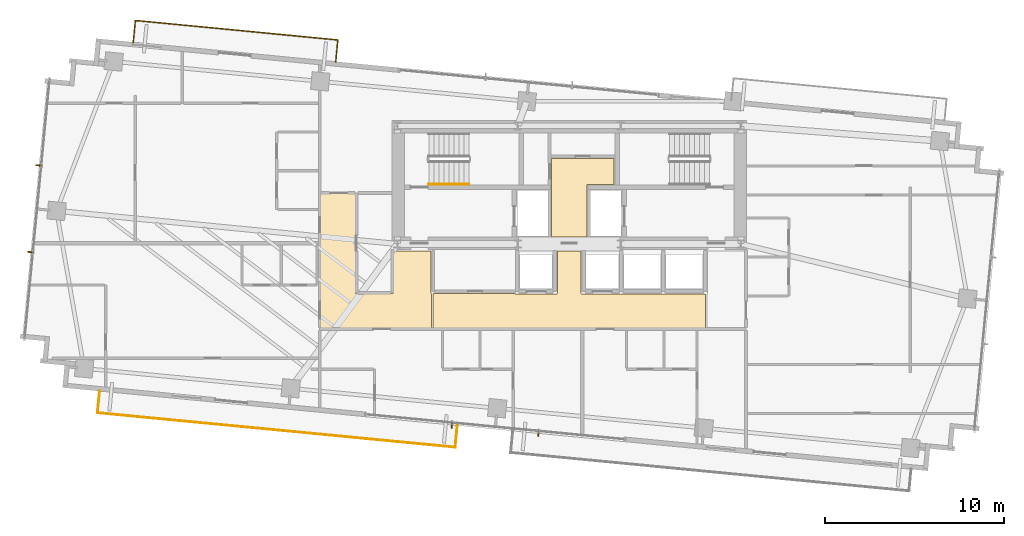
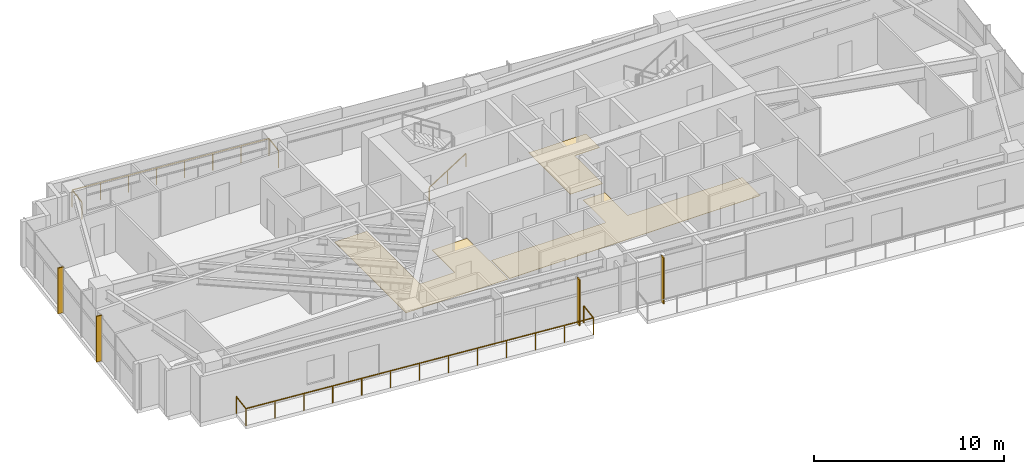
# One storey, part 19 of 20: 4 shading devices, 3 coverings, 3 railings.
"""IFC4 building model written with IfcOpenShell, lengths in metres."""

from ifc_helpers import new_model, si_unit, direction, frame, origin, origin_2d, place, context, subcontext, project, spatial, polyline, rectangle, outline, extrude, source, transform, mapped, material, layer, layer_set, type_object, type_shapes, element, save


model = new_model("IFC4")

# Units and contexts
model_context = context("Model", 3, precision=1e-05, world=origin(), true_north=direction((0.0, 1.0)))
body_context = subcontext(model_context, "Body", "Model", "MODEL_VIEW")
ifc_project = project(units=[si_unit("LENGTHUNIT", "METRE"), si_unit("AREAUNIT", "SQUARE_METRE"), si_unit("VOLUMEUNIT", "CUBIC_METRE"), si_unit("PLANEANGLEUNIT", "RADIAN"), si_unit("MASSUNIT", "GRAM", prefix="KILO")], contexts=[model_context])

# Site, building, storey
site_placement = place(None, origin())
site = spatial("IfcSite", under=ifc_project, at=site_placement, CompositionType="ELEMENT")
building_placement = place(site_placement, origin())
building = spatial("IfcBuilding", under=site, at=building_placement, Name="Astriad Promenade Condominiums", CompositionType="ELEMENT")
storey_placement = place(building_placement, frame((0.0, 0.0, 131.0)))
storey = spatial("IfcBuildingStorey", under=building, at=storey_placement, Name="L37", CompositionType="ELEMENT", Elevation=131.0)

# Coverings
ifc_material_1 = material(Name="Polished Lakefront Terrazzo Flooring")
ifc_layer = layer(ifc_material_1, 0.02001953125)
ifc_layer_set = layer_set([ifc_layer], Name="Polished Lakefront Terrazzo Flooring")
covering_type = type_object("IfcCoveringType", Name="COV-FLOR-TERRAZZO-20", PredefinedType="FLOORING", material=ifc_layer_set)
covering_1_placement = place(storey_placement, origin())
element("IfcCovering", 1, at=covering_1_placement, inside=storey, type_object=covering_type, Name="FLR-L37-CSL", PredefinedType="FLOORING", context=body_context, shape_type="SweptSolid", body=[
    extrude(outline(polyline([(36.97998046875, 20.699951171875), (36.97998046875, 17.7900390625), (35.02001953125, 17.7900390625), (35.02001953125, 22.179931640625), (38.5, 22.179931640625), (38.5, 20.739990234375), (37.02001953125, 20.739990234375), (37.01611328125, 20.73974609375), (37.01220703125, 20.7392578125), (37.00830078125, 20.73828125), (37.004638671875, 20.737060546875), (37.001220703125, 20.7353515625), (36.997802734375, 20.7333984375), (36.99462890625, 20.73095703125), (36.99169921875, 20.728271484375), (36.989013671875, 20.725341796875), (36.98681640625, 20.72216796875), (36.984619140625, 20.718994140625), (36.98291015625, 20.71533203125), (36.981689453125, 20.711669921875), (36.980712890625, 20.707763671875), (36.980224609375, 20.703857421875), (36.97998046875, 20.699951171875)])), origin(), (0.0, 0.0, 1.0), 0.02001953125),
])
covering_2_placement = place(storey_placement, origin())
element("IfcCovering", 2, at=covering_2_placement, inside=storey, type_object=covering_type, Name="FLR-L37-LLB", PredefinedType="FLOORING", context=body_context, shape_type="SweptSolid", body=[
    extrude(outline(polyline([(32.9736328125, 14.6201171875), (32.974609375, 14.619140625), (32.977783203125, 14.61669921875), (32.981201171875, 14.61474609375), (32.984619140625, 14.613037109375), (32.98828125, 14.61181640625), (32.9921875, 14.61083984375), (32.99609375, 14.610107421875), (33.0, 14.610107421875), (35.300048828125, 14.610107421875), (35.303955078125, 14.610107421875), (35.307861328125, 14.61083984375), (35.3115234375, 14.61181640625), (35.315185546875, 14.613037109375), (35.31884765625, 14.61474609375), (35.322265625, 14.61669921875), (35.325439453125, 14.619140625), (35.328369140625, 14.62158203125), (35.330810546875, 14.62451171875), (35.333251953125, 14.627685546875), (35.335205078125, 14.631103515625), (35.3369140625, 14.634765625), (35.33837890625, 14.638427734375), (35.339111328125, 14.64208984375), (35.33984375, 14.64599609375), (35.340087890625, 14.64990234375), (35.340087890625, 17.010009765625), (36.659912109375, 17.010009765625), (36.659912109375, 14.64990234375), (36.66015625, 14.64599609375), (36.660888671875, 14.64208984375), (36.66162109375, 14.638427734375), (36.6630859375, 14.634765625), (36.664794921875, 14.631103515625), (36.666748046875, 14.627685546875), (36.669189453125, 14.62451171875), (36.671630859375, 14.62158203125), (36.674560546875, 14.619140625), (36.677734375, 14.61669921875), (36.68115234375, 14.61474609375), (36.684814453125, 14.613037109375), (36.6884765625, 14.61181640625), (36.692138671875, 14.61083984375), (36.696044921875, 14.610107421875), (36.699951171875, 14.610107421875), (43.610107421875, 14.610107421875), (43.610107421875, 12.68994140625), (28.389892578125, 12.68994140625), (28.389892578125, 14.6201171875), (32.9736328125, 14.6201171875)])), origin(), (0.0, 0.0, 1.0), 0.02001953125),
])
covering_3_placement = place(storey_placement, origin())
element("IfcCovering", 3, at=covering_3_placement, inside=storey, type_object=covering_type, Name="FLR-L37-COR-2", PredefinedType="FLOORING", context=body_context, shape_type="SweptSolid", body=[
    extrude(outline(polyline([(28.300048828125, 12.68994140625), (22.090087890625, 12.68994140625), (22.090087890625, 20.2099609375), (24.06005859375, 20.2099609375), (24.06005859375, 14.659912109375), (24.060302734375, 14.656005859375), (24.060791015625, 14.652099609375), (24.061767578125, 14.6484375), (24.06298828125, 14.644775390625), (24.064697265625, 14.64111328125), (24.066650390625, 14.6376953125), (24.069091796875, 14.634521484375), (24.07177734375, 14.631591796875), (24.07470703125, 14.629150390625), (24.077880859375, 14.626708984375), (24.0810546875, 14.624755859375), (24.084716796875, 14.623046875), (24.08837890625, 14.62158203125), (24.09228515625, 14.620849609375), (24.09619140625, 14.6201171875), (24.10009765625, 14.6201171875), (26.1201171875, 14.6201171875), (26.123779296875, 14.6201171875), (26.127685546875, 14.620849609375), (26.131591796875, 14.62158203125), (26.13525390625, 14.623046875), (26.138916015625, 14.624755859375), (26.14208984375, 14.626708984375), (26.1455078125, 14.629150390625), (26.148193359375, 14.631591796875), (26.15087890625, 14.634521484375), (26.1533203125, 14.6376953125), (26.1552734375, 14.64111328125), (26.156982421875, 14.644775390625), (26.158203125, 14.6484375), (26.1591796875, 14.652099609375), (26.159912109375, 14.656005859375), (26.159912109375, 14.659912109375), (26.159912109375, 17.010009765625), (28.280029296875, 17.010009765625), (28.280029296875, 14.659912109375), (28.2802734375, 14.656005859375), (28.28076171875, 14.652099609375), (28.28173828125, 14.6484375), (28.282958984375, 14.644775390625), (28.28466796875, 14.64111328125), (28.28662109375, 14.6376953125), (28.2890625, 14.634521484375), (28.291748046875, 14.631591796875), (28.294677734375, 14.629150390625), (28.2978515625, 14.626708984375), (28.300048828125, 14.62548828125), (28.300048828125, 12.68994140625)])), origin(), (0.0, 0.0, 1.0), 0.02001953125),
])

# Shading devices
ifc_material_2 = material(Name="Anodised aluminium 6063-T6 Black Fin", Category="aluminium")
shading_device_type = type_object("IfcShadingDeviceType", Name="FIN-BLACK-260", PredefinedType="USERDEFINED", material=ifc_material_2)
shared_shape_1 = source(origin(), body_context, "Body", "SweptSolid", [
    extrude(rectangle(XDim=0.06494140625, YDim=0.320068359375, at=origin_2d()), origin(), (0.0, 0.0, 1.0), 2.93994140625),
])
type_shapes(shading_device_type, [shared_shape_1])
for number, where, z_axis, x_axis, name in (
    (4, (5.880126953125, 16.947509765625, 0.0), (0.0, 0.0, 1.0), (0.09584575252, 0.995396198367, 0.0), "CW-L37-W-FIN-01"),
    (5, (6.3466796875, 21.791748046875, 0.0), (0.0, 0.0, 1.0), (0.09584575252, 0.995396198367, 0.0), "CW-L37-W-FIN-02"),
    (6, (34.278564453125, 6.80224609375, 0.0), (0.0, 0.0, 1.0), (-0.995396198367, 0.09584575252, 0.0), "CW-L37-S-FIN-01"),
    (7, (29.44091796875, 7.26806640625, 0.0), (0.0, 0.0, 1.0), (-0.995396198367, 0.09584575252, 0.0), "CW-L37-S-FIN-02"),
):
    element("IfcShadingDevice", number, at=place(storey_placement, frame(where, z_axis=z_axis, x_axis=x_axis)), inside=storey, type_object=shading_device_type, Name=name, ObjectType="FIN", PredefinedType="USERDEFINED", context=body_context, shape_type="MappedRepresentation", body=[
        mapped(shared_shape_1, transform((0.0, 0.0, 0.0), scale=1.0)),
    ])

# Railings
ifc_material_3 = material(Name="Laminated Glass and Stainless Steel Balustrade", Category="steel")
railing_type_1 = type_object("IfcRailingType", Name="GRD-BALC-1120", PredefinedType="BALUSTRADE", material=ifc_material_3)
shared_shape_2 = source(origin(), body_context, "Body", "SweptSolid", [
    extrude(rectangle(XDim=0.048095703125, YDim=0.048095703125, at=origin_2d()), frame((0.0, 0.0, 1.09619140625), z_axis=(-0.095857307208, -0.99539508571, 0.0), x_axis=(0.99539508571, -0.095857307208, 0.0)), (0.0, 0.0, 1.0), 1.219970703125),
    extrude(rectangle(XDim=0.048095703125, YDim=0.048095703125, at=origin_2d()), frame((-0.116943359375, -1.21435546875, 1.09619140625), z_axis=(0.995395681807, -0.095851117055, 0.0), x_axis=(0.095851117055, 0.995395681807, 0.0)), (0.0, 0.0, 1.0), 20.0888671875),
    extrude(rectangle(XDim=0.048095703125, YDim=0.048095703125, at=origin_2d()), frame((19.87939453125, -3.139892578125, 1.09619140625), z_axis=(0.095857307208, 0.99539508571, 0.0), x_axis=(-0.99539508571, 0.095857307208, 0.0)), (0.0, 0.0, 1.0), 1.219970703125),
    extrude(rectangle(XDim=0.0419921875, YDim=0.0419921875, at=origin_2d()), origin(), (0.0, 0.0, 1.0), 1.072021484375),
    extrude(rectangle(XDim=0.0419921875, YDim=0.0419921875, at=origin_2d()), frame((-0.116943359375, -1.21435546875, 0.0)), (0.0, 0.0, 1.0), 1.072021484375),
    extrude(rectangle(XDim=0.0419921875, YDim=0.0419921875, at=origin_2d()), frame((1.54931640625, -1.374755859375, 0.0)), (0.0, 0.0, 1.0), 1.072021484375),
    extrude(rectangle(XDim=0.0419921875, YDim=0.0419921875, at=origin_2d()), frame((3.2158203125, -1.53515625, 0.0)), (0.0, 0.0, 1.0), 1.072021484375),
    extrude(rectangle(XDim=0.0419921875, YDim=0.0419921875, at=origin_2d()), frame((4.882080078125, -1.69580078125, 0.0)), (0.0, 0.0, 1.0), 1.072021484375),
    extrude(rectangle(XDim=0.0419921875, YDim=0.0419921875, at=origin_2d()), frame((6.548583984375, -1.856201171875, 0.0)), (0.0, 0.0, 1.0), 1.072021484375),
    extrude(rectangle(XDim=0.0419921875, YDim=0.0419921875, at=origin_2d()), frame((8.21484375, -2.0166015625, 0.0)), (0.0, 0.0, 1.0), 1.072021484375),
    extrude(rectangle(XDim=0.0419921875, YDim=0.0419921875, at=origin_2d()), frame((9.88134765625, -2.17724609375, 0.0)), (0.0, 0.0, 1.0), 1.072021484375),
    extrude(rectangle(XDim=0.0419921875, YDim=0.0419921875, at=origin_2d()), frame((11.547607421875, -2.337646484375, 0.0)), (0.0, 0.0, 1.0), 1.072021484375),
    extrude(rectangle(XDim=0.0419921875, YDim=0.0419921875, at=origin_2d()), frame((13.2138671875, -2.498046875, 0.0)), (0.0, 0.0, 1.0), 1.072021484375),
    extrude(rectangle(XDim=0.0419921875, YDim=0.0419921875, at=origin_2d()), frame((14.88037109375, -2.658447265625, 0.0)), (0.0, 0.0, 1.0), 1.072021484375),
    extrude(rectangle(XDim=0.0419921875, YDim=0.0419921875, at=origin_2d()), frame((16.546630859375, -2.81884765625, 0.0)), (0.0, 0.0, 1.0), 1.072021484375),
    extrude(rectangle(XDim=0.0419921875, YDim=0.0419921875, at=origin_2d()), frame((18.213134765625, -2.9794921875, 0.0)), (0.0, 0.0, 1.0), 1.072021484375),
    extrude(rectangle(XDim=0.0419921875, YDim=0.0419921875, at=origin_2d()), frame((19.87939453125, -3.139892578125, 0.0)), (0.0, 0.0, 1.0), 1.072021484375),
    extrude(rectangle(XDim=0.0419921875, YDim=0.0419921875, at=origin_2d()), frame((19.996337890625, -1.925537109375, 0.0)), (0.0, 0.0, 1.0), 1.072021484375),
])
railing_1_placement = place(storey_placement, frame((9.74609375, 9.174560546875, 0.0)))
element("IfcRailing", 8, at=railing_1_placement, inside=storey, type_object=railing_type_1, Name="GRD-BALC-L37-SW", PredefinedType="BALUSTRADE", context=body_context, shape_type="MappedRepresentation", body=[
    mapped(shared_shape_2, transform((0.0, 0.0, 0.0), scale=1.0)),
])
shared_shape_3 = source(origin(), body_context, "Body", "SweptSolid", [
    extrude(rectangle(XDim=0.048095703125, YDim=0.048095703125, at=origin_2d()), frame((0.0, 0.0, 1.09619140625), z_axis=(0.095876405589, 0.995393246336, 0.0), x_axis=(-0.995393246336, 0.095876405589, 0.0)), (0.0, 0.0, 1.0), 1.2197265625),
    extrude(rectangle(XDim=0.048095703125, YDim=0.048095703125, at=origin_2d()), frame((0.116943359375, 1.214111328125, 1.09619140625), z_axis=(-0.995395100529, 0.095857153323, 0.0), x_axis=(-0.095857153323, -0.995395100529, 0.0)), (0.0, 0.0, 1.0), 11.377197265625),
    extrude(rectangle(XDim=0.048095703125, YDim=0.048095703125, at=origin_2d()), frame((-11.207763671875, 2.3046875, 1.09619140625), z_axis=(-0.095857307208, -0.99539508571, 0.0), x_axis=(0.99539508571, -0.095857307208, 0.0)), (0.0, 0.0, 1.0), 1.219970703125),
    extrude(rectangle(XDim=0.0419921875, YDim=0.0419921875, at=origin_2d()), origin(), (0.0, 0.0, 1.0), 1.072021484375),
    extrude(rectangle(XDim=0.0419921875, YDim=0.0419921875, at=origin_2d()), frame((0.116943359375, 1.214111328125, 0.0)), (0.0, 0.0, 1.0), 1.072021484375),
    extrude(rectangle(XDim=0.0419921875, YDim=0.0419921875, at=origin_2d()), frame((-1.5009765625, 1.369873046875, 0.0)), (0.0, 0.0, 1.0), 1.072021484375),
    extrude(rectangle(XDim=0.0419921875, YDim=0.0419921875, at=origin_2d()), frame((-3.11865234375, 1.525634765625, 0.0)), (0.0, 0.0, 1.0), 1.072021484375),
    extrude(rectangle(XDim=0.0419921875, YDim=0.0419921875, at=origin_2d()), frame((-4.736572265625, 1.681396484375, 0.0)), (0.0, 0.0, 1.0), 1.072021484375),
    extrude(rectangle(XDim=0.0419921875, YDim=0.0419921875, at=origin_2d()), frame((-6.354248046875, 1.83740234375, 0.0)), (0.0, 0.0, 1.0), 1.072021484375),
    extrude(rectangle(XDim=0.0419921875, YDim=0.0419921875, at=origin_2d()), frame((-7.97216796875, 1.9931640625, 0.0)), (0.0, 0.0, 1.0), 1.072021484375),
    extrude(rectangle(XDim=0.0419921875, YDim=0.0419921875, at=origin_2d()), frame((-9.58984375, 2.14892578125, 0.0)), (0.0, 0.0, 1.0), 1.072021484375),
    extrude(rectangle(XDim=0.0419921875, YDim=0.0419921875, at=origin_2d()), frame((-11.207763671875, 2.3046875, 0.0)), (0.0, 0.0, 1.0), 1.072021484375),
    extrude(rectangle(XDim=0.0419921875, YDim=0.0419921875, at=origin_2d()), frame((-11.32470703125, 1.09033203125, 0.0)), (0.0, 0.0, 1.0), 1.072021484375),
])
type_shapes(railing_type_1, [shared_shape_2, shared_shape_3])
railing_2_placement = place(storey_placement, frame((22.94921875, 27.593994140625, 0.0)))
element("IfcRailing", 9, at=railing_2_placement, inside=storey, type_object=railing_type_1, Name="GRD-BALC-L37-NW", PredefinedType="BALUSTRADE", context=body_context, shape_type="MappedRepresentation", body=[
    mapped(shared_shape_3, transform((0.0, 0.0, 0.0), scale=1.0)),
])
ifc_material_4 = material(Name="Brushed Stainless Steel Handrail", Category="steel")
railing_type_2 = type_object("IfcRailingType", Name="HRL-STAIR-920", PredefinedType="HANDRAIL", material=ifc_material_4)
shared_shape_4 = source(origin(), body_context, "Body", "SweptSolid", [
    extrude(rectangle(XDim=0.048095703125, YDim=0.048095703125, at=origin_2d()), frame((0.0, 0.0, 0.8759765625), z_axis=(0.84418770128, 0.0, 0.536047689118), x_axis=(0.0, 1.0, 0.0)), (0.0, 0.0, 1.0), 2.6533203125),
    extrude(rectangle(XDim=0.0419921875, YDim=0.0419921875, at=origin_2d()), origin(), (0.0, 0.0, 1.0), 0.851806640625),
    extrude(rectangle(XDim=0.0419921875, YDim=0.0419921875, at=origin_2d()), frame((1.1201171875, 0.0, 0.711181640625)), (0.0, 0.0, 1.0), 0.851806640625),
    extrude(rectangle(XDim=0.0419921875, YDim=0.0419921875, at=origin_2d()), frame((2.239990234375, 0.0, 1.42236328125)), (0.0, 0.0, 1.0), 0.851806640625),
])
type_shapes(railing_type_2, [shared_shape_4])
railing_3_placement = place(storey_placement, frame((28.14990234375, 20.75, 0.177734375)))
element("IfcRailing", 10, at=railing_3_placement, inside=storey, type_object=railing_type_2, Name="L37 ST-1 stair handrail 1", PredefinedType="HANDRAIL", context=body_context, shape_type="MappedRepresentation", body=[
    mapped(shared_shape_4, transform((0.0, 0.0, 0.0), scale=1.0)),
])

save(model, "model.ifc")
